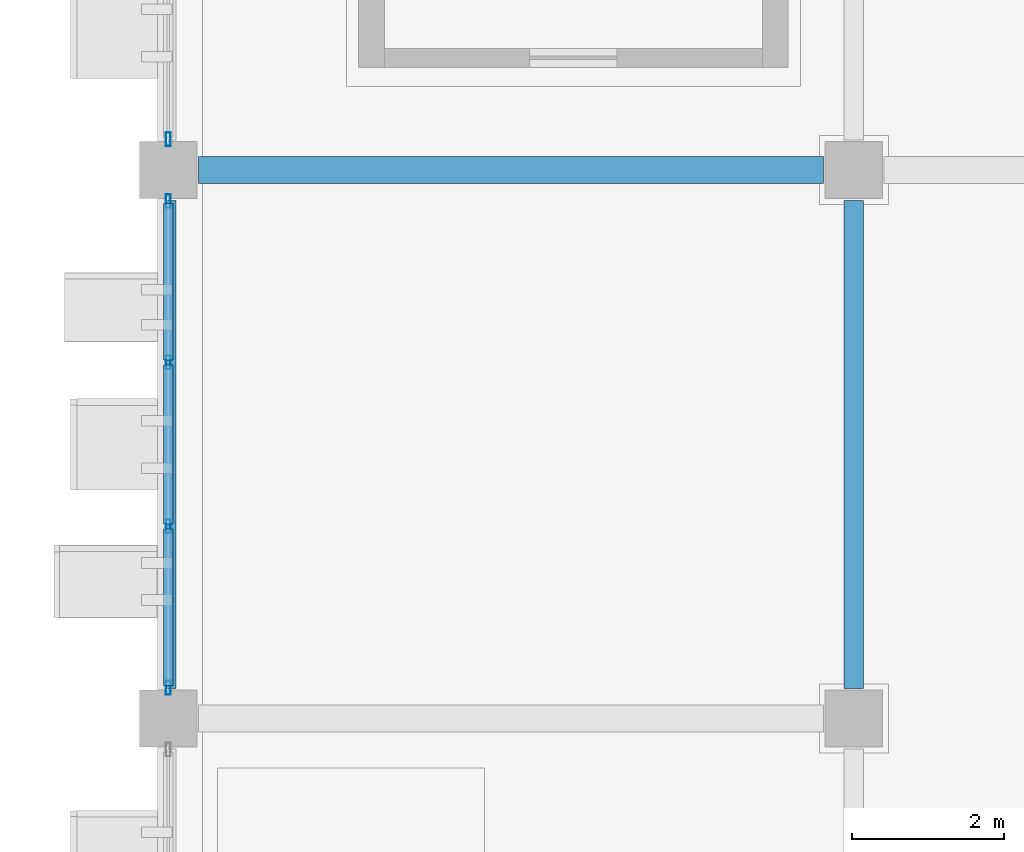
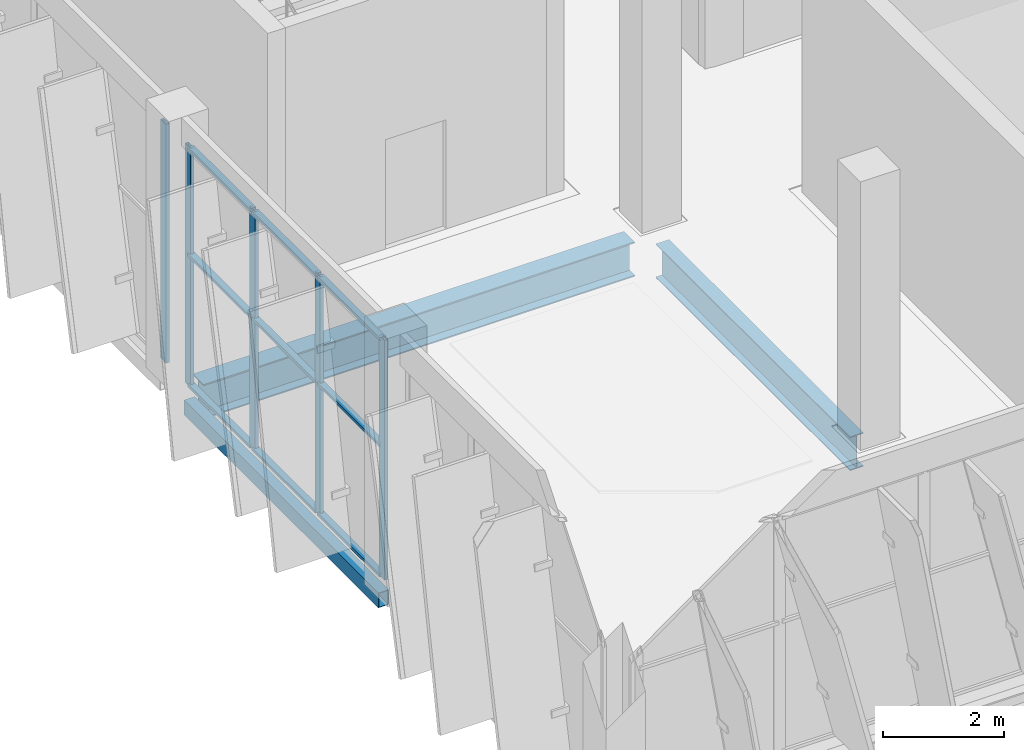
# One storey, part 44 of 189: 14 members, 3 beams, 2 elements without a shape of their own.
"""IFC4 building model written with IfcOpenShell, lengths in metres."""

from ifc_helpers import new_model, si_unit, direction, frame, origin, origin_2d, place, context, subcontext, project, spatial, hollow_rectangle, i_section, extrude, material, layer, layer_set, material_profile, profile_set, type_object, element, aggregate, save


model = new_model("IFC4")

# Units and contexts
model_context = context("Model", 3, precision=1e-05, world=origin(), true_north=direction((0.0, 1.0)))
body_context = subcontext(model_context, "Body", "Model", "MODEL_VIEW")
ifc_project = project(units=[si_unit("LENGTHUNIT", "METRE"), si_unit("AREAUNIT", "SQUARE_METRE"), si_unit("VOLUMEUNIT", "CUBIC_METRE"), si_unit("PLANEANGLEUNIT", "RADIAN"), si_unit("MASSUNIT", "GRAM", prefix="KILO")], contexts=[model_context])

# Site, building, storey
site_placement = place(None, origin())
site = spatial("IfcSite", under=ifc_project, at=site_placement, CompositionType="ELEMENT")
building_placement = place(site_placement, origin())
building = spatial("IfcBuilding", under=site, at=building_placement, Name="Celestram Park Convention Centre", CompositionType="ELEMENT")
storey_placement = place(building_placement, frame((0.0, 0.0, 5.39990234375)))
storey = spatial("IfcBuildingStorey", under=building, at=storey_placement, Name="L01", CompositionType="ELEMENT", Elevation=5.39990234375)

# Curtain wall, members
ifc_material_1 = material(Name="Anodised Aluminium Alloy 6063-T6", Category="aluminium")
ifc_layer_1 = layer(ifc_material_1, 0.179931640625)
ifc_layer_set_1 = layer_set([ifc_layer_1], Name="Anodised Aluminium Alloy 6063-T6")
curtain_wall_type_1 = type_object("IfcCurtainWallType", Name="ARC-CW-645X482", PredefinedType="NOTDEFINED", material=ifc_layer_set_1)
curtain_wall_1_placement = place(storey_placement, origin())
curtain_wall_1 = element("IfcCurtainWall", 1, at=curtain_wall_1_placement, inside=storey, type_object=curtain_wall_type_1, Name="Unitised curtain wall CU-L01-039", PredefinedType="NOTDEFINED")
ifc_material_profile_1 = material_profile(ifc_material_1, hollow_rectangle(XDim=0.06494140625, YDim=0.179931640625, WallThickness=0.00390625, at=origin_2d()), Name="ALU65X180X4")
ifc_profile_set_1 = profile_set([ifc_material_profile_1], Name="Anodised Aluminium Alloy 6063-T6")
member_type_1 = type_object("IfcMemberType", Name="ARC-CWM-150", PredefinedType="MULLION", material=ifc_profile_set_1)
member_1_placement = place(storey_placement, frame((144.0, 7.60546875, 0.0), z_axis=(0.0, 0.0, 1.0), x_axis=(-1.0, 0.0, 0.0)))
member_1 = element("IfcMember", 2, at=member_1_placement, type_object=member_type_1, Name="CW-64X48 mullion 1", PredefinedType="MULLION", context=body_context, shape_type="SweptSolid", body=[
    extrude(hollow_rectangle(XDim=0.06494140625, YDim=0.179931640625, WallThickness=0.00390625, at=origin_2d()), origin(), (0.0, 0.0, 1.0), 4.820068359375),
])
member_2_placement = place(storey_placement, frame((144.0, 9.724365234375, 0.0), z_axis=(0.0, 0.0, 1.0), x_axis=(-1.0, 0.0, 0.0)))
member_2 = element("IfcMember", 3, at=member_2_placement, type_object=member_type_1, Name="CW-64X48 mullion 2", PredefinedType="MULLION", context=body_context, shape_type="SweptSolid", body=[
    extrude(hollow_rectangle(XDim=0.06494140625, YDim=0.179931640625, WallThickness=0.00390625, at=origin_2d()), origin(), (0.0, 0.0, 1.0), 4.820068359375),
])
member_3_placement = place(storey_placement, frame((144.0, 11.875732421875, 0.0), z_axis=(0.0, 0.0, 1.0), x_axis=(-1.0, 0.0, 0.0)))
member_3 = element("IfcMember", 4, at=member_3_placement, type_object=member_type_1, Name="CW-64X48 mullion 3", PredefinedType="MULLION", context=body_context, shape_type="SweptSolid", body=[
    extrude(hollow_rectangle(XDim=0.06494140625, YDim=0.179931640625, WallThickness=0.00390625, at=origin_2d()), origin(), (0.0, 0.0, 1.0), 4.820068359375),
])
member_4_placement = place(storey_placement, frame((144.0, 13.994384765625, 0.0), z_axis=(0.0, 0.0, 1.0), x_axis=(-1.0, 0.0, 0.0)))
member_4 = element("IfcMember", 5, at=member_4_placement, type_object=member_type_1, Name="CW-64X48 mullion 4", PredefinedType="MULLION", context=body_context, shape_type="SweptSolid", body=[
    extrude(hollow_rectangle(XDim=0.06494140625, YDim=0.179931640625, WallThickness=0.00390625, at=origin_2d()), origin(), (0.0, 0.0, 1.0), 4.820068359375),
])

# Curtain wall, member
ifc_layer_2 = layer(ifc_material_1, 0.179931640625)
ifc_layer_set_2 = layer_set([ifc_layer_2], Name="Anodised Aluminium Alloy 6063-T6")
curtain_wall_type_2 = type_object("IfcCurtainWallType", Name="ARC-CW-645X480", PredefinedType="NOTDEFINED", material=ifc_layer_set_2)
curtain_wall_2_placement = place(storey_placement, origin())
curtain_wall_2 = element("IfcCurtainWall", 6, at=curtain_wall_2_placement, inside=storey, type_object=curtain_wall_type_2, Name="Unitised curtain wall CU-L01-040", PredefinedType="NOTDEFINED")
member_5_placement = place(storey_placement, frame((144.0, 14.805419921875, 0.0), z_axis=(0.0, 0.0, 1.0), x_axis=(-1.0, 0.0, 0.0)))
member_5 = element("IfcMember", 7, at=member_5_placement, type_object=member_type_1, Name="CW-64X48 mullion 1", PredefinedType="MULLION", context=body_context, shape_type="SweptSolid", body=[
    extrude(hollow_rectangle(XDim=0.06494140625, YDim=0.179931640625, WallThickness=0.00390625, at=origin_2d()), origin(), (0.0, 0.0, 1.0), 4.80419921875),
])
aggregate(curtain_wall_2, [member_5])

# Member
ifc_material_profile_2 = material_profile(ifc_material_1, hollow_rectangle(XDim=0.1201171875, YDim=0.06005859375, WallThickness=0.0029296875, at=origin_2d()), Name="ALU120X60X3")
ifc_profile_set_2 = profile_set([ifc_material_profile_2], Name="Anodised Aluminium Alloy 6063-T6")
member_type_2 = type_object("IfcMemberType", Name="ARC-CWT-120", PredefinedType="USERDEFINED", material=ifc_profile_set_2)
member_6_placement = place(storey_placement, frame((144.0, 7.637939453125, 0.030029296875), z_axis=(0.0, 1.0, 0.0), x_axis=(-1.0, 0.0, 0.0)))
member_6 = element("IfcMember", 8, at=member_6_placement, type_object=member_type_2, Name="CW-64X48 transom 1.1", ObjectType="TRANSOM", PredefinedType="USERDEFINED", context=body_context, shape_type="SweptSolid", body=[
    extrude(hollow_rectangle(XDim=0.1201171875, YDim=0.06005859375, WallThickness=0.0029296875, at=origin_2d()), origin(), (0.0, 0.0, 1.0), 2.053955078125),
])

member_7_placement = place(storey_placement, frame((144.0, 7.637939453125, 2.650146484375), z_axis=(0.0, 1.0, 0.0), x_axis=(-1.0, 0.0, 0.0)))
member_7 = element("IfcMember", 9, at=member_7_placement, type_object=member_type_2, Name="CW-64X48 transom 1.2", ObjectType="TRANSOM", PredefinedType="USERDEFINED", context=body_context, shape_type="SweptSolid", body=[
    extrude(hollow_rectangle(XDim=0.1201171875, YDim=0.06005859375, WallThickness=0.0029296875, at=origin_2d()), origin(), (0.0, 0.0, 1.0), 2.053955078125),
])

member_8_placement = place(storey_placement, frame((144.0, 7.637939453125, 4.7900390625), z_axis=(0.0, 1.0, 0.0), x_axis=(-1.0, 0.0, 0.0)))
member_8 = element("IfcMember", 10, at=member_8_placement, type_object=member_type_2, Name="CW-64X48 transom 1.3", ObjectType="TRANSOM", PredefinedType="USERDEFINED", context=body_context, shape_type="SweptSolid", body=[
    extrude(hollow_rectangle(XDim=0.1201171875, YDim=0.06005859375, WallThickness=0.0029296875, at=origin_2d()), origin(), (0.0, 0.0, 1.0), 2.053955078125),
])

member_9_placement = place(storey_placement, frame((144.0, 9.7568359375, 0.030029296875), z_axis=(0.0, 1.0, 0.0), x_axis=(-1.0, 0.0, 0.0)))
member_9 = element("IfcMember", 11, at=member_9_placement, type_object=member_type_2, Name="CW-64X48 transom 2.1", ObjectType="TRANSOM", PredefinedType="USERDEFINED", context=body_context, shape_type="SweptSolid", body=[
    extrude(hollow_rectangle(XDim=0.1201171875, YDim=0.06005859375, WallThickness=0.0029296875, at=origin_2d()), origin(), (0.0, 0.0, 1.0), 2.08642578125),
])

member_10_placement = place(storey_placement, frame((144.0, 9.7568359375, 2.650146484375), z_axis=(0.0, 1.0, 0.0), x_axis=(-1.0, 0.0, 0.0)))
member_10 = element("IfcMember", 12, at=member_10_placement, type_object=member_type_2, Name="CW-64X48 transom 2.2", ObjectType="TRANSOM", PredefinedType="USERDEFINED", context=body_context, shape_type="SweptSolid", body=[
    extrude(hollow_rectangle(XDim=0.1201171875, YDim=0.06005859375, WallThickness=0.0029296875, at=origin_2d()), origin(), (0.0, 0.0, 1.0), 2.08642578125),
])

member_11_placement = place(storey_placement, frame((144.0, 9.7568359375, 4.7900390625), z_axis=(0.0, 1.0, 0.0), x_axis=(-1.0, 0.0, 0.0)))
member_11 = element("IfcMember", 13, at=member_11_placement, type_object=member_type_2, Name="CW-64X48 transom 2.3", ObjectType="TRANSOM", PredefinedType="USERDEFINED", context=body_context, shape_type="SweptSolid", body=[
    extrude(hollow_rectangle(XDim=0.1201171875, YDim=0.06005859375, WallThickness=0.0029296875, at=origin_2d()), origin(), (0.0, 0.0, 1.0), 2.08642578125),
])

member_12_placement = place(storey_placement, frame((144.0, 11.908203125, 0.030029296875), z_axis=(0.0, 1.0, 0.0), x_axis=(-1.0, 0.0, 0.0)))
member_12 = element("IfcMember", 14, at=member_12_placement, type_object=member_type_2, Name="CW-64X48 transom 3.1", ObjectType="TRANSOM", PredefinedType="USERDEFINED", context=body_context, shape_type="SweptSolid", body=[
    extrude(hollow_rectangle(XDim=0.1201171875, YDim=0.06005859375, WallThickness=0.0029296875, at=origin_2d()), origin(), (0.0, 0.0, 1.0), 2.0537109375),
])

member_13_placement = place(storey_placement, frame((144.0, 11.908203125, 2.650146484375), z_axis=(0.0, 1.0, 0.0), x_axis=(-1.0, 0.0, 0.0)))
member_13 = element("IfcMember", 15, at=member_13_placement, type_object=member_type_2, Name="CW-64X48 transom 3.2", ObjectType="TRANSOM", PredefinedType="USERDEFINED", context=body_context, shape_type="SweptSolid", body=[
    extrude(hollow_rectangle(XDim=0.1201171875, YDim=0.06005859375, WallThickness=0.0029296875, at=origin_2d()), origin(), (0.0, 0.0, 1.0), 2.0537109375),
])

member_14_placement = place(storey_placement, frame((144.0, 11.908203125, 4.7900390625), z_axis=(0.0, 1.0, 0.0), x_axis=(-1.0, 0.0, 0.0)))
member_14 = element("IfcMember", 16, at=member_14_placement, type_object=member_type_2, Name="CW-64X48 transom 3.3", ObjectType="TRANSOM", PredefinedType="USERDEFINED", context=body_context, shape_type="SweptSolid", body=[
    extrude(hollow_rectangle(XDim=0.1201171875, YDim=0.06005859375, WallThickness=0.0029296875, at=origin_2d()), origin(), (0.0, 0.0, 1.0), 2.0537109375),
])

aggregate(curtain_wall_1, [member_1, member_2, member_3, member_4, member_6, member_7, member_8, member_9, member_10, member_11, member_12, member_13, member_14])

# Beams
ifc_material_2 = material(Name="Steel ASTM A992 Grade 50", Category="steel")
ifc_material_profile_3 = material_profile(ifc_material_2, i_section(OverallWidth=0.35595703125, OverallDepth=0.696044921875, WebThickness=0.015380859375, FlangeThickness=0.02490234375, at=origin_2d()), Name="W27X146")
ifc_profile_set_3 = profile_set([ifc_material_profile_3], Name="Steel ASTM A992 Grade 50")
beam_type_1 = type_object("IfcBeamType", Name="STR-BM-W27X146", PredefinedType="BEAM", material=ifc_profile_set_3)
beam_1_placement = place(storey_placement, frame((144.39794921875, 14.39990234375, -0.6279296875), z_axis=(1.0, 0.0, 0.0), x_axis=(0.0, 1.0, 0.0)))
element("IfcBeam", 17, at=beam_1_placement, inside=storey, type_object=beam_type_1, Name="Primary X-girder BG-L01-0329", PredefinedType="BEAM", context=body_context, shape_type="SweptSolid", body=[
    extrude(i_section(OverallWidth=0.35595703125, OverallDepth=0.696044921875, WebThickness=0.015380859375, FlangeThickness=0.02490234375, at=origin_2d()), origin(), (0.0, 0.0, 1.0), 8.2041015625),
])
ifc_material_profile_4 = material_profile(ifc_material_2, i_section(OverallWidth=0.25390625, OverallDepth=0.68310546875, WebThickness=0.012451171875, FlangeThickness=0.01904296875, at=origin_2d()), Name="W27X94")
ifc_profile_set_4 = profile_set([ifc_material_profile_4], Name="Steel ASTM A992 Grade 50")
beam_type_2 = type_object("IfcBeamType", Name="STR-BM-W27X94", PredefinedType="BEAM", material=ifc_profile_set_4)
beam_2_placement = place(storey_placement, frame((153.0, 7.597900390625, -0.621337890625), z_axis=(0.0, 1.0, 0.0), x_axis=(-1.0, 0.0, 0.0)))
element("IfcBeam", 18, at=beam_2_placement, inside=storey, type_object=beam_type_2, Name="Primary Y-girder BG-L01-0359", PredefinedType="BEAM", context=body_context, shape_type="SweptSolid", body=[
    extrude(i_section(OverallWidth=0.25390625, OverallDepth=0.68310546875, WebThickness=0.012451171875, FlangeThickness=0.01904296875, at=origin_2d()), origin(), (0.0, 0.0, 1.0), 6.404052734375),
])
ifc_material_3 = material(Name="Steel ASTM A500 Grade C", Category="steel")
ifc_material_profile_5 = material_profile(ifc_material_3, hollow_rectangle(XDim=0.199951171875, YDim=0.300048828125, WallThickness=0.011962890625, at=origin_2d()), Name="HSS300X200X12")
ifc_profile_set_5 = profile_set([ifc_material_profile_5], Name="Steel ASTM A500 Grade C")
beam_type_3 = type_object("IfcBeamType", Name="STR-SPN-HSS300X200", PredefinedType="SPANDREL", material=ifc_profile_set_5)
beam_3_placement = place(storey_placement, frame((144.0, 7.597900390625, -0.429931640625), z_axis=(0.0, 1.0, 0.0), x_axis=(-1.0, 0.0, 0.0)))
element("IfcBeam", 19, at=beam_3_placement, inside=storey, type_object=beam_type_3, Name="Primary Y-girder BG-L01-0328", PredefinedType="SPANDREL", context=body_context, shape_type="SweptSolid", body=[
    extrude(hollow_rectangle(XDim=0.199951171875, YDim=0.300048828125, WallThickness=0.011962890625, at=origin_2d()), origin(), (0.0, 0.0, 1.0), 6.404052734375),
])

save(model, "model.ifc")
